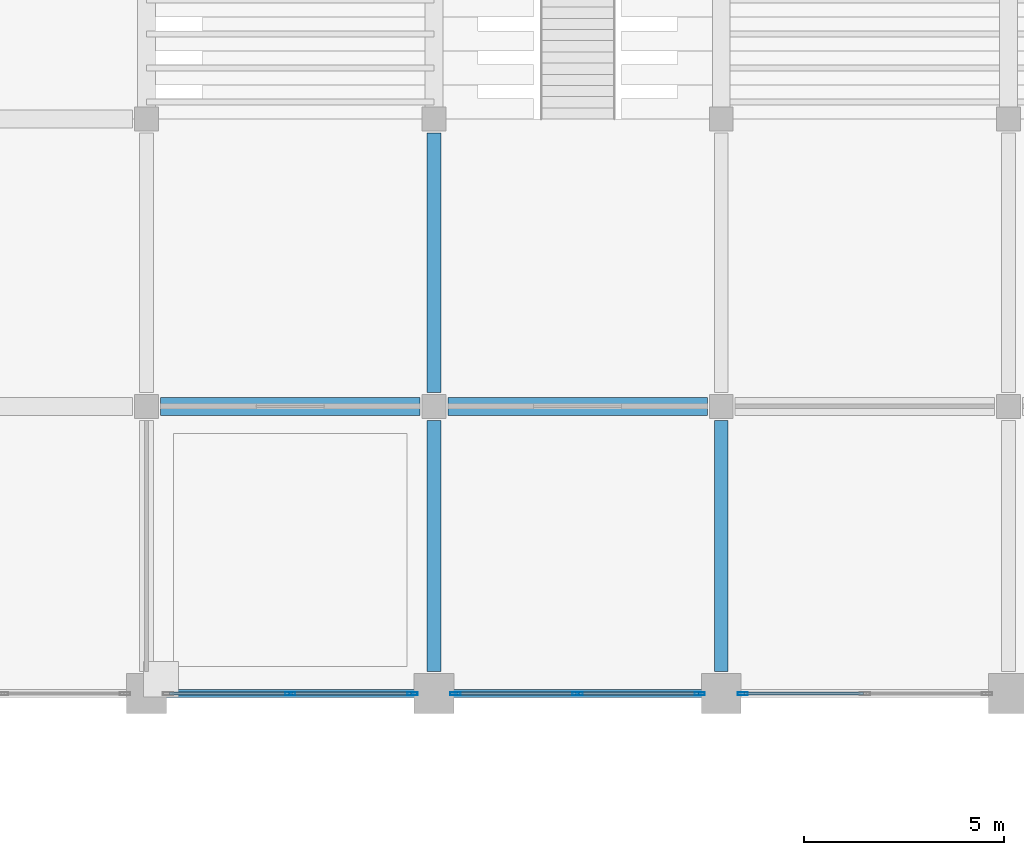
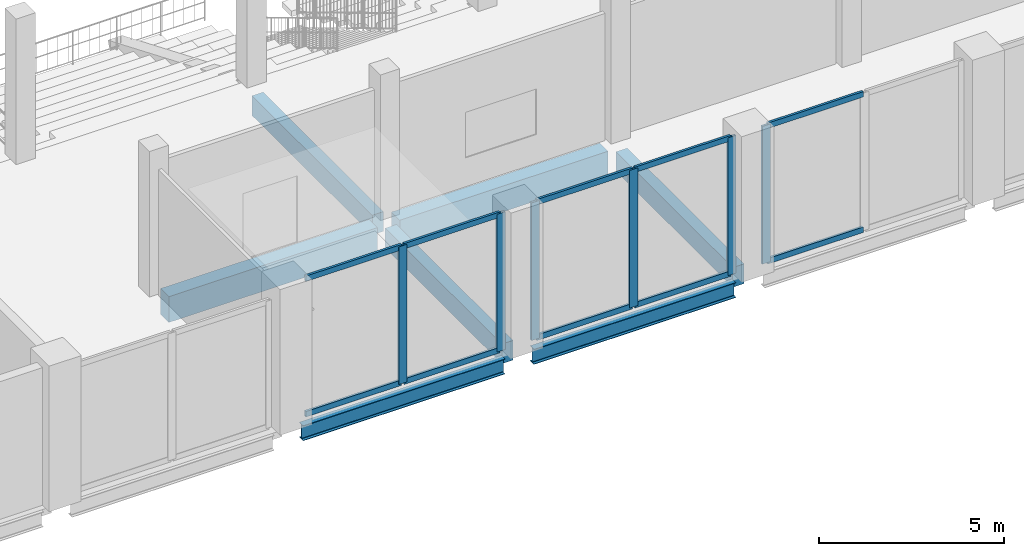
# One storey, part 7 of 99: 16 members, 7 beams, 3 elements without a shape of their own.
"""IFC4 building model written with IfcOpenShell, lengths in metres."""

from ifc_helpers import new_model, si_unit, direction, frame, origin, origin_2d, place, context, subcontext, project, spatial, rectangle, hollow_rectangle, i_section, extrude, material, material_profile, profile_set, type_object, element, aggregate, save


model = new_model("IFC4")

# Units and contexts
model_context = context("Model", 3, precision=1e-05, world=origin(), true_north=direction((0.0, 1.0)))
body_context = subcontext(model_context, "Body", "Model", "MODEL_VIEW")
ifc_project = project(units=[si_unit("LENGTHUNIT", "METRE"), si_unit("AREAUNIT", "SQUARE_METRE"), si_unit("VOLUMEUNIT", "CUBIC_METRE"), si_unit("PLANEANGLEUNIT", "RADIAN"), si_unit("MASSUNIT", "GRAM", prefix="KILO")], contexts=[model_context])

# Site, building, storey
site_placement = place(None, origin())
site = spatial("IfcSite", under=ifc_project, at=site_placement, CompositionType="ELEMENT")
building_placement = place(site_placement, origin())
building = spatial("IfcBuilding", under=site, at=building_placement, Name="Vesperath Aquatics Centre", CompositionType="ELEMENT")
storey_placement = place(building_placement, frame((0.0, 0.0, 5.39990234375)))
storey = spatial("IfcBuildingStorey", under=building, at=storey_placement, Name="L01", CompositionType="ELEMENT", Elevation=5.39990234375)

# Beams
ifc_material_1 = material(Name="Concrete C35", Category="concrete")
ifc_material_profile_1 = material_profile(ifc_material_1, rectangle(XDim=0.449951171875, YDim=0.85009765625, at=origin_2d()), Name="RC 450x850")
ifc_profile_set_1 = profile_set([ifc_material_profile_1], Name="Concrete C35")
beam_type_1 = type_object("IfcBeamType", Name="BM-G03", PredefinedType="BEAM", material=ifc_profile_set_1)
for number, where, z_axis, x_axis, name in (
    (1, (14.75, 21.60009765625, -0.684814453125), (1.0, 0.0, 0.0), (0.0, 1.0, 0.0), "Floor Girder B03 L01 D 3-4"),
    (2, (21.949951171875, 21.60009765625, -0.684814453125), (1.0, 0.0, 0.0), (0.0, 1.0, 0.0), "Floor Girder B03 L01 D 4-5"),
):
    element("IfcBeam", number, at=place(storey_placement, frame(where, z_axis=z_axis, x_axis=x_axis)), inside=storey, type_object=beam_type_1, Name=name, PredefinedType="BEAM", context=body_context, shape_type="SweptSolid", body=[
        extrude(rectangle(XDim=0.449951171875, YDim=0.85009765625, at=origin_2d()), origin(), (0.0, 0.0, 1.0), 6.5),
    ])
ifc_material_profile_2 = material_profile(ifc_material_1, rectangle(XDim=0.35009765625, YDim=0.64990234375, at=origin_2d()), Name="RC 350x650")
ifc_profile_set_2 = profile_set([ifc_material_profile_2], Name="Concrete C35")
beam_type_2 = type_object("IfcBeamType", Name="BM-G05", PredefinedType="BEAM", material=ifc_profile_set_2)
beam_1_placement = place(storey_placement, frame((21.60009765625, 14.949951171875, -0.5849609375), z_axis=(0.0, 1.0, 0.0), x_axis=(-1.0, 0.0, 0.0)))
element("IfcBeam", 3, at=beam_1_placement, inside=storey, type_object=beam_type_2, Name="Floor Girder B05 L01 4 C-D", PredefinedType="BEAM", context=body_context, shape_type="SweptSolid", body=[
    extrude(rectangle(XDim=0.35009765625, YDim=0.64990234375, at=origin_2d()), origin(), (0.0, 0.0, 1.0), 6.300048828125),
])
beam_2_placement = place(storey_placement, frame((21.60009765625, 21.949951171875, -0.5849609375), z_axis=(0.0, 1.0, 0.0), x_axis=(-1.0, 0.0, 0.0)))
element("IfcBeam", 4, at=beam_2_placement, inside=storey, type_object=beam_type_2, Name="Floor Girder B05 L01 4 D-E", PredefinedType="BEAM", context=body_context, shape_type="SweptSolid", body=[
    extrude(rectangle(XDim=0.35009765625, YDim=0.64990234375, at=origin_2d()), origin(), (0.0, 0.0, 1.0), 6.5),
])
beam_3_placement = place(storey_placement, frame((28.800048828125, 14.949951171875, -0.5849609375), z_axis=(0.0, 1.0, 0.0), x_axis=(-1.0, 0.0, 0.0)))
element("IfcBeam", 5, at=beam_3_placement, inside=storey, type_object=beam_type_2, Name="Floor Girder B05 L01 5 C-D", PredefinedType="BEAM", context=body_context, shape_type="SweptSolid", body=[
    extrude(rectangle(XDim=0.35009765625, YDim=0.64990234375, at=origin_2d()), origin(), (0.0, 0.0, 1.0), 6.300048828125),
])
ifc_material_2 = material(Name="Steel Q355D", Category="steel")
ifc_material_profile_3 = material_profile(ifc_material_2, i_section(OverallWidth=0.199951171875, OverallDepth=0.5, WebThickness=0.010009765625, FlangeThickness=0.01611328125, FilletRadius=0.02001953125, at=origin_2d()), Name="HN 500x200x10x16")
ifc_profile_set_3 = profile_set([ifc_material_profile_3], Name="Steel Q355D")
beam_type_3 = type_object("IfcBeamType", Name="BM-SP01", PredefinedType="SPANDREL", material=ifc_profile_set_3)
beam_4_placement = place(storey_placement, frame((14.85009765625, 14.39990234375, -0.510009765625), z_axis=(1.0, 0.0, 0.0), x_axis=(0.0, 1.0, 0.0)))
element("IfcBeam", 6, at=beam_4_placement, inside=storey, type_object=beam_type_3, Name="Floor Girder SP01 L01 C 3-4", PredefinedType="SPANDREL", context=body_context, shape_type="SweptSolid", body=[
    extrude(i_section(OverallWidth=0.199951171875, OverallDepth=0.5, WebThickness=0.010009765625, FlangeThickness=0.01611328125, FilletRadius=0.02001953125, at=origin_2d()), origin(), (0.0, 0.0, 1.0), 6.2998046875),
])
beam_5_placement = place(storey_placement, frame((22.050048828125, 14.39990234375, -0.510009765625), z_axis=(1.0, 0.0, 0.0), x_axis=(0.0, 1.0, 0.0)))
element("IfcBeam", 7, at=beam_5_placement, inside=storey, type_object=beam_type_3, Name="Floor Girder SP01 L01 C 4-5", PredefinedType="SPANDREL", context=body_context, shape_type="SweptSolid", body=[
    extrude(i_section(OverallWidth=0.199951171875, OverallDepth=0.5, WebThickness=0.010009765625, FlangeThickness=0.01611328125, FilletRadius=0.02001953125, at=origin_2d()), origin(), (0.0, 0.0, 1.0), 6.300048828125),
])

# Curtain wall, members
ifc_material_3 = material(Name="Thermally broken anodised bronze aluminium curtain wall", Category="aluminium")
curtain_wall_type = type_object("IfcCurtainWallType", Name="CW-02", PredefinedType="NOTDEFINED", material=ifc_material_3)
curtain_wall_1_placement = place(storey_placement, origin())
curtain_wall_1 = element("IfcCurtainWall", 8, at=curtain_wall_1_placement, inside=storey, type_object=curtain_wall_type, Name="Facade Curtain Wall CW02 L01_S_02_02", PredefinedType="NOTDEFINED")
ifc_material_4 = material(Name="Thermally broken anodised aluminium", Category="aluminium")
ifc_material_profile_4 = material_profile(ifc_material_4, hollow_rectangle(XDim=0.074951171875, YDim=0.260009765625, WallThickness=0.006103515625, at=origin_2d()), Name="CWM 75x260x6")
ifc_profile_set_4 = profile_set([ifc_material_profile_4], Name="Thermally broken anodised aluminium")
member_type_1 = type_object("IfcMemberType", Name="MB-CWM1", PredefinedType="MULLION", material=ifc_profile_set_4)
member_1_placement = place(storey_placement, frame((18.0, 14.39990234375, 0.0), z_axis=(0.0, 0.0, 1.0), x_axis=(0.0, 1.0, 0.0)))
member_1 = element("IfcMember", 9, at=member_1_placement, type_object=member_type_1, Name="CW02 mullion 2", PredefinedType="MULLION", context=body_context, shape_type="SweptSolid", body=[
    extrude(hollow_rectangle(XDim=0.074951171875, YDim=0.260009765625, WallThickness=0.006103515625, at=origin_2d()), origin(), (0.0, 0.0, 1.0), 4.5400390625),
])
member_2_placement = place(storey_placement, frame((21.0625, 14.39990234375, 0.0), z_axis=(0.0, 0.0, 1.0), x_axis=(0.0, 1.0, 0.0)))
member_2 = element("IfcMember", 10, at=member_2_placement, type_object=member_type_1, Name="CW02 mullion 3", PredefinedType="MULLION", context=body_context, shape_type="SweptSolid", body=[
    extrude(hollow_rectangle(XDim=0.074951171875, YDim=0.260009765625, WallThickness=0.006103515625, at=origin_2d()), origin(), (0.0, 0.0, 1.0), 4.5400390625),
])

curtain_wall_2_placement = place(storey_placement, origin())
curtain_wall_2 = element("IfcCurtainWall", 11, at=curtain_wall_2_placement, inside=storey, type_object=curtain_wall_type, Name="Facade Curtain Wall CW02 L01_S_03_02", PredefinedType="NOTDEFINED")
member_3_placement = place(storey_placement, frame((22.137451171875, 14.39990234375, 0.0), z_axis=(0.0, 0.0, 1.0), x_axis=(0.0, 1.0, 0.0)))
member_3 = element("IfcMember", 12, at=member_3_placement, type_object=member_type_1, Name="CW02 mullion 1", PredefinedType="MULLION", context=body_context, shape_type="SweptSolid", body=[
    extrude(hollow_rectangle(XDim=0.074951171875, YDim=0.260009765625, WallThickness=0.006103515625, at=origin_2d()), origin(), (0.0, 0.0, 1.0), 4.5400390625),
])
member_4_placement = place(storey_placement, frame((25.199951171875, 14.39990234375, 0.0), z_axis=(0.0, 0.0, 1.0), x_axis=(0.0, 1.0, 0.0)))
member_4 = element("IfcMember", 13, at=member_4_placement, type_object=member_type_1, Name="CW02 mullion 2", PredefinedType="MULLION", context=body_context, shape_type="SweptSolid", body=[
    extrude(hollow_rectangle(XDim=0.074951171875, YDim=0.260009765625, WallThickness=0.006103515625, at=origin_2d()), origin(), (0.0, 0.0, 1.0), 4.5400390625),
])
member_5_placement = place(storey_placement, frame((28.262451171875, 14.39990234375, 0.0), z_axis=(0.0, 0.0, 1.0), x_axis=(0.0, 1.0, 0.0)))
member_5 = element("IfcMember", 14, at=member_5_placement, type_object=member_type_1, Name="CW02 mullion 3", PredefinedType="MULLION", context=body_context, shape_type="SweptSolid", body=[
    extrude(hollow_rectangle(XDim=0.074951171875, YDim=0.260009765625, WallThickness=0.006103515625, at=origin_2d()), origin(), (0.0, 0.0, 1.0), 4.5400390625),
])

# Curtain wall, member
curtain_wall_3_placement = place(storey_placement, origin())
curtain_wall_3 = element("IfcCurtainWall", 15, at=curtain_wall_3_placement, inside=storey, type_object=curtain_wall_type, Name="Facade Curtain Wall CW02 L01_S_04_02", PredefinedType="NOTDEFINED")
member_6_placement = place(storey_placement, frame((29.33740234375, 14.39990234375, 0.0), z_axis=(0.0, 0.0, 1.0), x_axis=(0.0, 1.0, 0.0)))
member_6 = element("IfcMember", 16, at=member_6_placement, type_object=member_type_1, Name="CW02 mullion 1", PredefinedType="MULLION", context=body_context, shape_type="SweptSolid", body=[
    extrude(hollow_rectangle(XDim=0.074951171875, YDim=0.260009765625, WallThickness=0.006103515625, at=origin_2d()), origin(), (0.0, 0.0, 1.0), 4.5400390625),
])

# Member
ifc_material_profile_5 = material_profile(ifc_material_4, hollow_rectangle(XDim=0.074951171875, YDim=0.179931640625, WallThickness=0.0048828125, at=origin_2d()), Name="CWT 75x180x5")
ifc_profile_set_5 = profile_set([ifc_material_profile_5], Name="Thermally broken anodised aluminium")
member_type_2 = type_object("IfcMemberType", Name="MB-CWT1", PredefinedType="USERDEFINED", material=ifc_profile_set_5)
member_7_placement = place(storey_placement, frame((14.97509765625, 14.39990234375, 0.03759765625), z_axis=(1.0, 0.0, 0.0), x_axis=(0.0, 1.0, 0.0)))
member_7 = element("IfcMember", 17, at=member_7_placement, type_object=member_type_2, Name="CW02 transom 1.1", ObjectType="TRANSOM", PredefinedType="USERDEFINED", context=body_context, shape_type="SweptSolid", body=[
    extrude(hollow_rectangle(XDim=0.074951171875, YDim=0.179931640625, WallThickness=0.0048828125, at=origin_2d()), origin(), (0.0, 0.0, 1.0), 2.9873046875),
])

member_8_placement = place(storey_placement, frame((14.97509765625, 14.39990234375, 4.502685546875), z_axis=(1.0, 0.0, 0.0), x_axis=(0.0, 1.0, 0.0)))
member_8 = element("IfcMember", 18, at=member_8_placement, type_object=member_type_2, Name="CW02 transom 1.2", ObjectType="TRANSOM", PredefinedType="USERDEFINED", context=body_context, shape_type="SweptSolid", body=[
    extrude(hollow_rectangle(XDim=0.074951171875, YDim=0.179931640625, WallThickness=0.0048828125, at=origin_2d()), origin(), (0.0, 0.0, 1.0), 2.9873046875),
])

member_9_placement = place(storey_placement, frame((18.03759765625, 14.39990234375, 0.03759765625), z_axis=(1.0, 0.0, 0.0), x_axis=(0.0, 1.0, 0.0)))
member_9 = element("IfcMember", 19, at=member_9_placement, type_object=member_type_2, Name="CW02 transom 2.1", ObjectType="TRANSOM", PredefinedType="USERDEFINED", context=body_context, shape_type="SweptSolid", body=[
    extrude(hollow_rectangle(XDim=0.074951171875, YDim=0.179931640625, WallThickness=0.0048828125, at=origin_2d()), origin(), (0.0, 0.0, 1.0), 2.9873046875),
])

member_10_placement = place(storey_placement, frame((18.03759765625, 14.39990234375, 4.502685546875), z_axis=(1.0, 0.0, 0.0), x_axis=(0.0, 1.0, 0.0)))
member_10 = element("IfcMember", 20, at=member_10_placement, type_object=member_type_2, Name="CW02 transom 2.2", ObjectType="TRANSOM", PredefinedType="USERDEFINED", context=body_context, shape_type="SweptSolid", body=[
    extrude(hollow_rectangle(XDim=0.074951171875, YDim=0.179931640625, WallThickness=0.0048828125, at=origin_2d()), origin(), (0.0, 0.0, 1.0), 2.9873046875),
])

aggregate(curtain_wall_1, [member_1, member_2, member_7, member_8, member_9, member_10])

member_11_placement = place(storey_placement, frame((22.175048828125, 14.39990234375, 0.03759765625), z_axis=(1.0, 0.0, 0.0), x_axis=(0.0, 1.0, 0.0)))
member_11 = element("IfcMember", 21, at=member_11_placement, type_object=member_type_2, Name="CW02 transom 1.1", ObjectType="TRANSOM", PredefinedType="USERDEFINED", context=body_context, shape_type="SweptSolid", body=[
    extrude(hollow_rectangle(XDim=0.074951171875, YDim=0.179931640625, WallThickness=0.0048828125, at=origin_2d()), origin(), (0.0, 0.0, 1.0), 2.987548828125),
])

member_12_placement = place(storey_placement, frame((22.175048828125, 14.39990234375, 4.502685546875), z_axis=(1.0, 0.0, 0.0), x_axis=(0.0, 1.0, 0.0)))
member_12 = element("IfcMember", 22, at=member_12_placement, type_object=member_type_2, Name="CW02 transom 1.2", ObjectType="TRANSOM", PredefinedType="USERDEFINED", context=body_context, shape_type="SweptSolid", body=[
    extrude(hollow_rectangle(XDim=0.074951171875, YDim=0.179931640625, WallThickness=0.0048828125, at=origin_2d()), origin(), (0.0, 0.0, 1.0), 2.987548828125),
])

member_13_placement = place(storey_placement, frame((25.237548828125, 14.39990234375, 0.03759765625), z_axis=(1.0, 0.0, 0.0), x_axis=(0.0, 1.0, 0.0)))
member_13 = element("IfcMember", 23, at=member_13_placement, type_object=member_type_2, Name="CW02 transom 2.1", ObjectType="TRANSOM", PredefinedType="USERDEFINED", context=body_context, shape_type="SweptSolid", body=[
    extrude(hollow_rectangle(XDim=0.074951171875, YDim=0.179931640625, WallThickness=0.0048828125, at=origin_2d()), origin(), (0.0, 0.0, 1.0), 2.987548828125),
])

member_14_placement = place(storey_placement, frame((25.237548828125, 14.39990234375, 4.502685546875), z_axis=(1.0, 0.0, 0.0), x_axis=(0.0, 1.0, 0.0)))
member_14 = element("IfcMember", 24, at=member_14_placement, type_object=member_type_2, Name="CW02 transom 2.2", ObjectType="TRANSOM", PredefinedType="USERDEFINED", context=body_context, shape_type="SweptSolid", body=[
    extrude(hollow_rectangle(XDim=0.074951171875, YDim=0.179931640625, WallThickness=0.0048828125, at=origin_2d()), origin(), (0.0, 0.0, 1.0), 2.987548828125),
])

aggregate(curtain_wall_2, [member_3, member_4, member_5, member_11, member_12, member_13, member_14])

member_15_placement = place(storey_placement, frame((29.375, 14.39990234375, 0.03759765625), z_axis=(1.0, 0.0, 0.0), x_axis=(0.0, 1.0, 0.0)))
member_15 = element("IfcMember", 25, at=member_15_placement, type_object=member_type_2, Name="CW02 transom 1.1", ObjectType="TRANSOM", PredefinedType="USERDEFINED", context=body_context, shape_type="SweptSolid", body=[
    extrude(hollow_rectangle(XDim=0.074951171875, YDim=0.179931640625, WallThickness=0.0048828125, at=origin_2d()), origin(), (0.0, 0.0, 1.0), 2.987548828125),
])

member_16_placement = place(storey_placement, frame((29.375, 14.39990234375, 4.502685546875), z_axis=(1.0, 0.0, 0.0), x_axis=(0.0, 1.0, 0.0)))
member_16 = element("IfcMember", 26, at=member_16_placement, type_object=member_type_2, Name="CW02 transom 1.2", ObjectType="TRANSOM", PredefinedType="USERDEFINED", context=body_context, shape_type="SweptSolid", body=[
    extrude(hollow_rectangle(XDim=0.074951171875, YDim=0.179931640625, WallThickness=0.0048828125, at=origin_2d()), origin(), (0.0, 0.0, 1.0), 2.987548828125),
])

aggregate(curtain_wall_3, [member_6, member_15, member_16])

save(model, "model.ifc")
